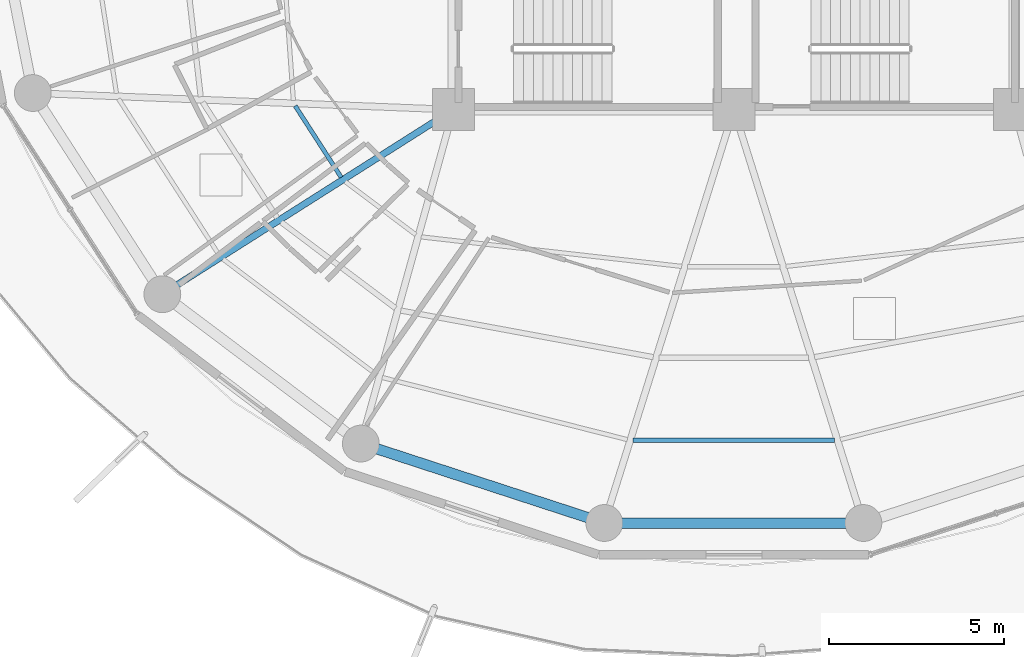
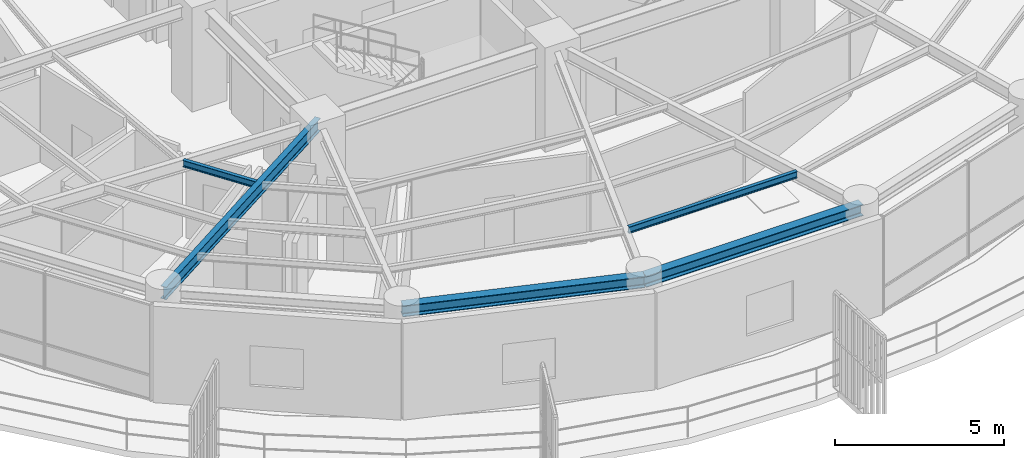
# One storey, part 3 of 30: 5 beams.
"""IFC4 building model written with IfcOpenShell, lengths in metres."""

from ifc_helpers import new_model, si_unit, direction, frame, origin, origin_2d, place, context, subcontext, project, spatial, i_section, extrude, material, material_profile, profile_set, type_object, element, save


model = new_model("IFC4")

# Units and contexts
model_context = context("Model", 3, precision=1e-05, world=origin(), true_north=direction((0.0, 1.0)))
body_context = subcontext(model_context, "Body", "Model", "MODEL_VIEW")
ifc_project = project(units=[si_unit("LENGTHUNIT", "METRE"), si_unit("AREAUNIT", "SQUARE_METRE"), si_unit("VOLUMEUNIT", "CUBIC_METRE"), si_unit("PLANEANGLEUNIT", "RADIAN"), si_unit("MASSUNIT", "GRAM", prefix="KILO")], contexts=[model_context])

# Site, building, storey
site_placement = place(None, origin())
site = spatial("IfcSite", under=ifc_project, at=site_placement, CompositionType="ELEMENT")
building_placement = place(site_placement, origin())
building = spatial("IfcBuilding", under=site, at=building_placement, Name="Kelanora Arch Commons", CompositionType="ELEMENT")
storey_placement = place(building_placement, frame((0.0, 0.0, 211.949951171875)))
storey = spatial("IfcBuildingStorey", under=building, at=storey_placement, Name="L54", CompositionType="ELEMENT", Elevation=211.949951171875)

# Beams
ifc_material = material(Name="Steel S355", Category="steel")
ifc_material_profile_1 = material_profile(ifc_material, i_section(OverallWidth=0.1201171875, OverallDepth=0.239990234375, WebThickness=0.006103515625, FlangeThickness=0.009765625, FilletRadius=0.014892578125, at=origin_2d()), Name="IPE240")
ifc_profile_set_1 = profile_set([ifc_material_profile_1], Name="Steel S355")
beam_type_1 = type_object("IfcBeamType", Name="BM-JST-02", PredefinedType="JOIST", material=ifc_profile_set_1)
beam_1_placement = place(storey_placement, frame((61.4873046875, 51.10888671875, 3.3701171875), z_axis=(0.541332763503, -0.840808443796, 0.0), x_axis=(0.840808443796, 0.541332763503, 0.0)))
element("IfcBeam", 1, at=beam_1_placement, inside=storey, type_object=beam_type_1, Name="Secondary Chord Joist BJA-20 L54", PredefinedType="JOIST", context=body_context, shape_type="SweptSolid", body=[
    extrude(i_section(OverallWidth=0.1201171875, OverallDepth=0.239990234375, WebThickness=0.006103515625, FlangeThickness=0.009765625, FilletRadius=0.014892578125, at=origin_2d()), origin(), (0.0, 0.0, 1.0), 2.423583984375),
])
beam_2_placement = place(storey_placement, frame((71.12890625, 41.56787109375, 3.3701171875), z_axis=(1.0, 0.0, 0.0), x_axis=(0.0, 1.0, 0.0)))
element("IfcBeam", 2, at=beam_2_placement, inside=storey, type_object=beam_type_1, Name="Secondary Chord Joist BJC-26 L54", PredefinedType="JOIST", context=body_context, shape_type="SweptSolid", body=[
    extrude(i_section(OverallWidth=0.1201171875, OverallDepth=0.239990234375, WebThickness=0.006103515625, FlangeThickness=0.009765625, FilletRadius=0.014892578125, at=origin_2d()), origin(), (0.0, 0.0, 1.0), 5.7421875),
])
ifc_material_profile_2 = material_profile(ifc_material, i_section(OverallWidth=0.18994140625, OverallDepth=0.449951171875, WebThickness=0.009521484375, FlangeThickness=0.0146484375, FilletRadius=0.02099609375, at=origin_2d()), Name="IPE450")
ifc_profile_set_2 = profile_set([ifc_material_profile_2], Name="Steel S355")
beam_type_2 = type_object("IfcBeamType", Name="BM-RAD-Z4", PredefinedType="BEAM", material=ifc_profile_set_2)
beam_3_placement = place(storey_placement, frame((66.0, 51.0, 3.26513671875), z_axis=(-0.844507208607, -0.535544185489, 0.0), x_axis=(0.535544185489, -0.844507208607, 0.0)))
element("IfcBeam", 3, at=beam_3_placement, inside=storey, type_object=beam_type_2, Name="Radial Floor Girder BR-22 L54", PredefinedType="BEAM", context=body_context, shape_type="SweptSolid", body=[
    extrude(i_section(OverallWidth=0.18994140625, OverallDepth=0.449951171875, WebThickness=0.009521484375, FlangeThickness=0.0146484375, FilletRadius=0.02099609375, at=origin_2d()), origin(), (0.0, 0.0, 1.0), 9.830078125),
])
ifc_material_profile_3 = material_profile(ifc_material, i_section(OverallWidth=0.300048828125, OverallDepth=0.39990234375, WebThickness=0.013427734375, FlangeThickness=0.02392578125, FilletRadius=0.027099609375, at=origin_2d()), Name="HEB400")
ifc_profile_set_3 = profile_set([ifc_material_profile_3], Name="Steel S355")
beam_type_3 = type_object("IfcBeamType", Name="BM-SPN-Z4", PredefinedType="SPANDREL", material=ifc_profile_set_3)
beam_4_placement = place(storey_placement, frame((63.360107421875, 41.476318359375, 3.2900390625), z_axis=(0.950656361143, -0.310245842872, 0.0), x_axis=(0.310245842872, 0.950656361143, 0.0)))
element("IfcBeam", 4, at=beam_4_placement, inside=storey, type_object=beam_type_3, Name="Perimeter Spandrel Beam BS-24 L54", PredefinedType="SPANDREL", context=body_context, shape_type="SweptSolid", body=[
    extrude(i_section(OverallWidth=0.300048828125, OverallDepth=0.39990234375, WebThickness=0.013427734375, FlangeThickness=0.02392578125, FilletRadius=0.027099609375, at=origin_2d()), origin(), (0.0, 0.0, 1.0), 7.304931640625),
])
beam_5_placement = place(storey_placement, frame((70.3046875, 39.2099609375, 3.2900390625), z_axis=(1.0, 0.0, 0.0), x_axis=(0.0, 1.0, 0.0)))
element("IfcBeam", 5, at=beam_5_placement, inside=storey, type_object=beam_type_3, Name="Perimeter Spandrel Beam BS-26 L54", PredefinedType="SPANDREL", context=body_context, shape_type="SweptSolid", body=[
    extrude(i_section(OverallWidth=0.300048828125, OverallDepth=0.39990234375, WebThickness=0.013427734375, FlangeThickness=0.02392578125, FilletRadius=0.027099609375, at=origin_2d()), origin(), (0.0, 0.0, 1.0), 7.390625),
])

save(model, "model.ifc")
